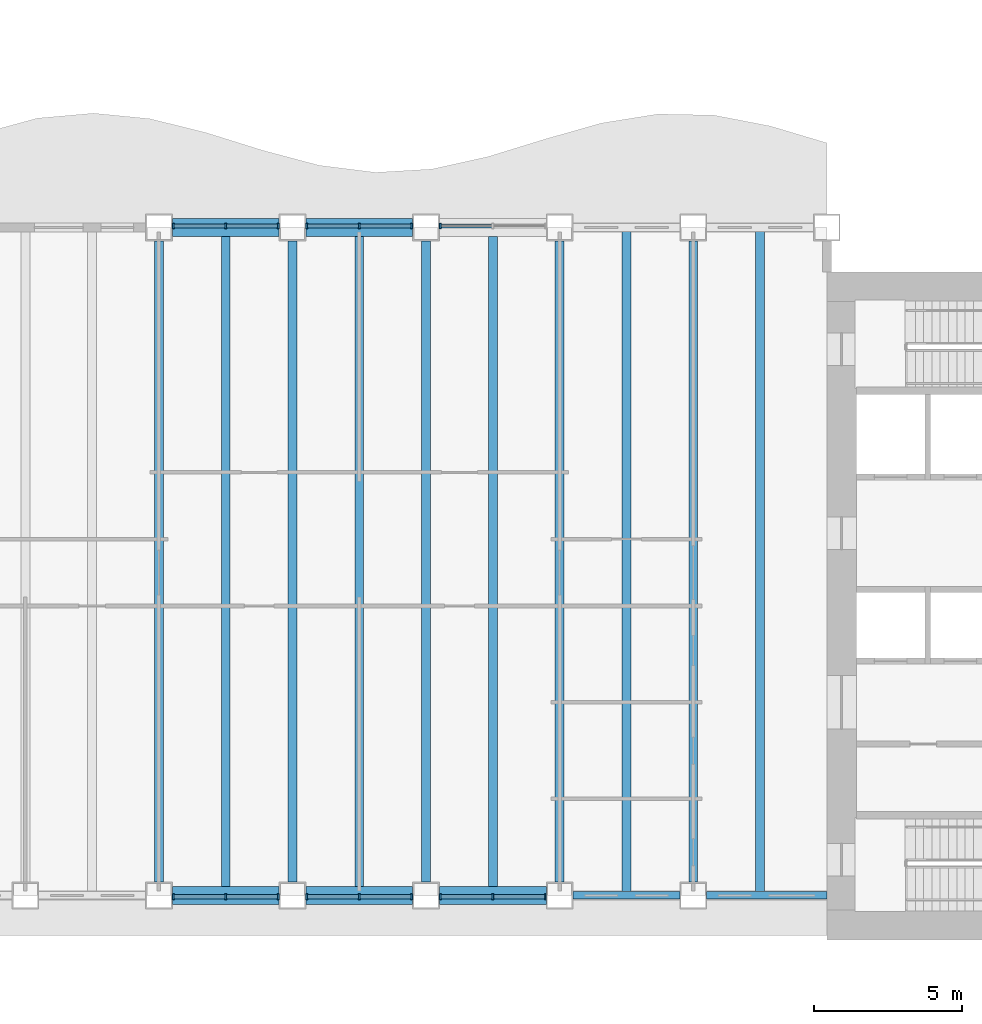
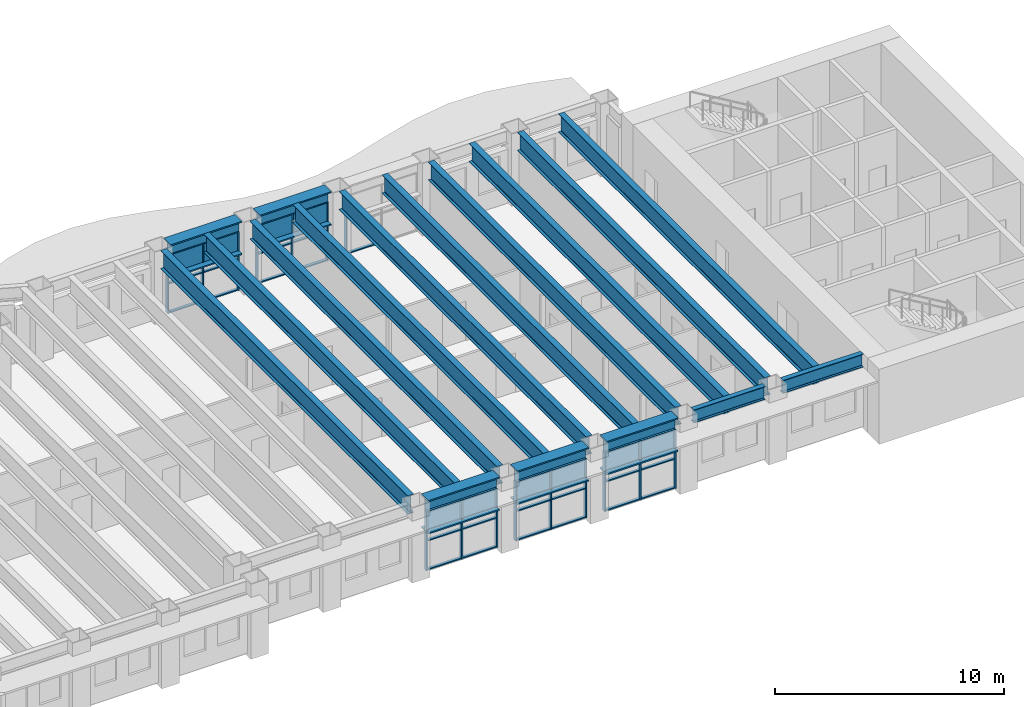
# One storey, part 2 of 17: 52 members, 12 beams, 6 elements without a shape of their own.
"""IFC4 building model written with IfcOpenShell, lengths in metres."""

from ifc_helpers import new_model, si_unit, direction, frame, origin, origin_2d, place, context, subcontext, project, spatial, rectangle, i_section, extrude, material, material_profile, profile_set, type_object, element, aggregate, save


model = new_model("IFC4")

# Units and contexts
model_context = context("Model", 3, precision=1e-05, world=origin(), true_north=direction((0.0, 1.0)))
body_context = subcontext(model_context, "Body", "Model", "MODEL_VIEW")
ifc_project = project(units=[si_unit("LENGTHUNIT", "METRE"), si_unit("AREAUNIT", "SQUARE_METRE"), si_unit("VOLUMEUNIT", "CUBIC_METRE"), si_unit("PLANEANGLEUNIT", "RADIAN"), si_unit("MASSUNIT", "GRAM", prefix="KILO")], contexts=[model_context])

# Site, building, storey
site_placement = place(None, origin())
site = spatial("IfcSite", under=ifc_project, at=site_placement, CompositionType="ELEMENT")
building_placement = place(site_placement, origin())
building = spatial("IfcBuilding", under=site, at=building_placement, Name="Sennacour Bend Tower", CompositionType="ELEMENT")
storey_placement = place(building_placement, frame((0.0, 0.0, 155.0)))
storey = spatial("IfcBuildingStorey", under=building, at=storey_placement, Name="L35", CompositionType="ELEMENT", Elevation=155.0)

# Curtain wall, members
ifc_material_1 = material(Name="Bronze anodised aluminium curtain wall with clear glass", Category="aluminium")
curtain_wall_type = type_object("IfcCurtainWallType", Name="CURTAIN WALL BRIDGE", PredefinedType="NOTDEFINED", material=ifc_material_1)
curtain_wall_1_placement = place(storey_placement, origin())
curtain_wall_1 = element("IfcCurtainWall", 1, at=curtain_wall_1_placement, inside=storey, type_object=curtain_wall_type, Name="Sky bridge glass wall L35", PredefinedType="NOTDEFINED")
ifc_material_2 = material(Name="Aluminium 6063-T6", Category="aluminium")
ifc_material_profile_1 = material_profile(ifc_material_2, rectangle(XDim=0.199951171875, YDim=0.06005859375, at=origin_2d()), Name="Aluminium 6063-T6", Category="aluminium")
ifc_profile_set_1 = profile_set([ifc_material_profile_1], Name="Aluminium 6063-T6")
member_type_1 = type_object("IfcMemberType", Name="CW-MULLION-200X60", PredefinedType="MULLION", material=ifc_profile_set_1)
member_1_placement = place(storey_placement, frame((31.97998046875, 1.449951171875, 0.0), z_axis=(0.0, 0.0, 1.0), x_axis=(0.0, 1.0, 0.0)))
member_1 = element("IfcMember", 2, at=member_1_placement, type_object=member_type_1, Name="GW5 curtain wall mullion 1", PredefinedType="MULLION", context=body_context, shape_type="SweptSolid", body=[
    extrude(rectangle(XDim=0.199951171875, YDim=0.06005859375, at=origin_2d()), origin(), (0.0, 0.0, 1.0), 3.14892578125),
])
member_2_placement = place(storey_placement, frame((33.75, 1.449951171875, 0.0), z_axis=(0.0, 0.0, 1.0), x_axis=(0.0, 1.0, 0.0)))
member_2 = element("IfcMember", 3, at=member_2_placement, type_object=member_type_1, Name="GW5 curtain wall mullion 2", PredefinedType="MULLION", context=body_context, shape_type="SweptSolid", body=[
    extrude(rectangle(XDim=0.199951171875, YDim=0.06005859375, at=origin_2d()), origin(), (0.0, 0.0, 1.0), 3.14892578125),
])
member_3_placement = place(storey_placement, frame((35.52001953125, 1.449951171875, 0.0), z_axis=(0.0, 0.0, 1.0), x_axis=(0.0, 1.0, 0.0)))
member_3 = element("IfcMember", 4, at=member_3_placement, type_object=member_type_1, Name="GW5 curtain wall mullion 3", PredefinedType="MULLION", context=body_context, shape_type="SweptSolid", body=[
    extrude(rectangle(XDim=0.199951171875, YDim=0.06005859375, at=origin_2d()), origin(), (0.0, 0.0, 1.0), 3.14892578125),
])

curtain_wall_2_placement = place(storey_placement, origin())
curtain_wall_2 = element("IfcCurtainWall", 5, at=curtain_wall_2_placement, inside=storey, type_object=curtain_wall_type, Name="Sky bridge glass wall L35", PredefinedType="NOTDEFINED")
member_4_placement = place(storey_placement, frame((36.47998046875, 1.449951171875, 0.0), z_axis=(0.0, 0.0, 1.0), x_axis=(0.0, 1.0, 0.0)))
member_4 = element("IfcMember", 6, at=member_4_placement, type_object=member_type_1, Name="GW5 curtain wall mullion 1", PredefinedType="MULLION", context=body_context, shape_type="SweptSolid", body=[
    extrude(rectangle(XDim=0.199951171875, YDim=0.06005859375, at=origin_2d()), origin(), (0.0, 0.0, 1.0), 3.14892578125),
])
member_5_placement = place(storey_placement, frame((38.25, 1.449951171875, 0.0), z_axis=(0.0, 0.0, 1.0), x_axis=(0.0, 1.0, 0.0)))
member_5 = element("IfcMember", 7, at=member_5_placement, type_object=member_type_1, Name="GW5 curtain wall mullion 2", PredefinedType="MULLION", context=body_context, shape_type="SweptSolid", body=[
    extrude(rectangle(XDim=0.199951171875, YDim=0.06005859375, at=origin_2d()), origin(), (0.0, 0.0, 1.0), 3.14892578125),
])
member_6_placement = place(storey_placement, frame((40.02001953125, 1.449951171875, 0.0), z_axis=(0.0, 0.0, 1.0), x_axis=(0.0, 1.0, 0.0)))
member_6 = element("IfcMember", 8, at=member_6_placement, type_object=member_type_1, Name="GW5 curtain wall mullion 3", PredefinedType="MULLION", context=body_context, shape_type="SweptSolid", body=[
    extrude(rectangle(XDim=0.199951171875, YDim=0.06005859375, at=origin_2d()), origin(), (0.0, 0.0, 1.0), 3.14892578125),
])

curtain_wall_3_placement = place(storey_placement, origin())
curtain_wall_3 = element("IfcCurtainWall", 9, at=curtain_wall_3_placement, inside=storey, type_object=curtain_wall_type, Name="Sky bridge glass wall L35", PredefinedType="NOTDEFINED")
member_7_placement = place(storey_placement, frame((40.97998046875, 1.449951171875, 0.0), z_axis=(0.0, 0.0, 1.0), x_axis=(0.0, 1.0, 0.0)))
member_7 = element("IfcMember", 10, at=member_7_placement, type_object=member_type_1, Name="GW5 curtain wall mullion 1", PredefinedType="MULLION", context=body_context, shape_type="SweptSolid", body=[
    extrude(rectangle(XDim=0.199951171875, YDim=0.06005859375, at=origin_2d()), origin(), (0.0, 0.0, 1.0), 3.14892578125),
])
member_8_placement = place(storey_placement, frame((42.75, 1.449951171875, 0.0), z_axis=(0.0, 0.0, 1.0), x_axis=(0.0, 1.0, 0.0)))
member_8 = element("IfcMember", 11, at=member_8_placement, type_object=member_type_1, Name="GW5 curtain wall mullion 2", PredefinedType="MULLION", context=body_context, shape_type="SweptSolid", body=[
    extrude(rectangle(XDim=0.199951171875, YDim=0.06005859375, at=origin_2d()), origin(), (0.0, 0.0, 1.0), 3.14892578125),
])
member_9_placement = place(storey_placement, frame((44.52001953125, 1.449951171875, 0.0), z_axis=(0.0, 0.0, 1.0), x_axis=(0.0, 1.0, 0.0)))
member_9 = element("IfcMember", 12, at=member_9_placement, type_object=member_type_1, Name="GW5 curtain wall mullion 3", PredefinedType="MULLION", context=body_context, shape_type="SweptSolid", body=[
    extrude(rectangle(XDim=0.199951171875, YDim=0.06005859375, at=origin_2d()), origin(), (0.0, 0.0, 1.0), 3.14892578125),
])

# Curtain wall, member
curtain_wall_4_placement = place(storey_placement, origin())
curtain_wall_4 = element("IfcCurtainWall", 13, at=curtain_wall_4_placement, inside=storey, type_object=curtain_wall_type, Name="Sky bridge glass wall L35", PredefinedType="NOTDEFINED")
member_10_placement = place(storey_placement, frame((40.97998046875, 24.050048828125, 0.0), z_axis=(0.0, 0.0, 1.0), x_axis=(0.0, -1.0, 0.0)))
member_10 = element("IfcMember", 14, at=member_10_placement, type_object=member_type_1, Name="GW5 curtain wall mullion 3", PredefinedType="MULLION", context=body_context, shape_type="SweptSolid", body=[
    extrude(rectangle(XDim=0.199951171875, YDim=0.06005859375, at=origin_2d()), origin(), (0.0, 0.0, 1.0), 3.14892578125),
])

# Curtain wall, members
curtain_wall_5_placement = place(storey_placement, origin())
curtain_wall_5 = element("IfcCurtainWall", 15, at=curtain_wall_5_placement, inside=storey, type_object=curtain_wall_type, Name="Sky bridge glass wall L35", PredefinedType="NOTDEFINED")
member_11_placement = place(storey_placement, frame((40.02001953125, 24.050048828125, 0.0), z_axis=(0.0, 0.0, 1.0), x_axis=(0.0, -1.0, 0.0)))
member_11 = element("IfcMember", 16, at=member_11_placement, type_object=member_type_1, Name="GW5 curtain wall mullion 1", PredefinedType="MULLION", context=body_context, shape_type="SweptSolid", body=[
    extrude(rectangle(XDim=0.199951171875, YDim=0.06005859375, at=origin_2d()), origin(), (0.0, 0.0, 1.0), 3.14892578125),
])
member_12_placement = place(storey_placement, frame((38.25, 24.050048828125, 0.0), z_axis=(0.0, 0.0, 1.0), x_axis=(0.0, -1.0, 0.0)))
member_12 = element("IfcMember", 17, at=member_12_placement, type_object=member_type_1, Name="GW5 curtain wall mullion 2", PredefinedType="MULLION", context=body_context, shape_type="SweptSolid", body=[
    extrude(rectangle(XDim=0.199951171875, YDim=0.06005859375, at=origin_2d()), origin(), (0.0, 0.0, 1.0), 3.14892578125),
])
member_13_placement = place(storey_placement, frame((36.47998046875, 24.050048828125, 0.0), z_axis=(0.0, 0.0, 1.0), x_axis=(0.0, -1.0, 0.0)))
member_13 = element("IfcMember", 18, at=member_13_placement, type_object=member_type_1, Name="GW5 curtain wall mullion 3", PredefinedType="MULLION", context=body_context, shape_type="SweptSolid", body=[
    extrude(rectangle(XDim=0.199951171875, YDim=0.06005859375, at=origin_2d()), origin(), (0.0, 0.0, 1.0), 3.14892578125),
])

curtain_wall_6_placement = place(storey_placement, origin())
curtain_wall_6 = element("IfcCurtainWall", 19, at=curtain_wall_6_placement, inside=storey, type_object=curtain_wall_type, Name="Sky bridge glass wall L35", PredefinedType="NOTDEFINED")
member_14_placement = place(storey_placement, frame((35.52001953125, 24.050048828125, 0.0), z_axis=(0.0, 0.0, 1.0), x_axis=(0.0, -1.0, 0.0)))
member_14 = element("IfcMember", 20, at=member_14_placement, type_object=member_type_1, Name="GW5 curtain wall mullion 1", PredefinedType="MULLION", context=body_context, shape_type="SweptSolid", body=[
    extrude(rectangle(XDim=0.199951171875, YDim=0.06005859375, at=origin_2d()), origin(), (0.0, 0.0, 1.0), 3.14892578125),
])
member_15_placement = place(storey_placement, frame((33.75, 24.050048828125, 0.0), z_axis=(0.0, 0.0, 1.0), x_axis=(0.0, -1.0, 0.0)))
member_15 = element("IfcMember", 21, at=member_15_placement, type_object=member_type_1, Name="GW5 curtain wall mullion 2", PredefinedType="MULLION", context=body_context, shape_type="SweptSolid", body=[
    extrude(rectangle(XDim=0.199951171875, YDim=0.06005859375, at=origin_2d()), origin(), (0.0, 0.0, 1.0), 3.14892578125),
])
member_16_placement = place(storey_placement, frame((31.97998046875, 24.050048828125, 0.0), z_axis=(0.0, 0.0, 1.0), x_axis=(0.0, -1.0, 0.0)))
member_16 = element("IfcMember", 22, at=member_16_placement, type_object=member_type_1, Name="GW5 curtain wall mullion 3", PredefinedType="MULLION", context=body_context, shape_type="SweptSolid", body=[
    extrude(rectangle(XDim=0.199951171875, YDim=0.06005859375, at=origin_2d()), origin(), (0.0, 0.0, 1.0), 3.14892578125),
])

# Member
ifc_material_profile_2 = material_profile(ifc_material_2, rectangle(XDim=0.14990234375, YDim=0.06005859375, at=origin_2d()), Name="Aluminium 6063-T6", Category="aluminium")
ifc_profile_set_2 = profile_set([ifc_material_profile_2], Name="Aluminium 6063-T6")
member_type_2 = type_object("IfcMemberType", Name="CW-TRANSOM-150X60", PredefinedType="USERDEFINED", material=ifc_profile_set_2)
member_17_placement = place(storey_placement, frame((32.010009765625, 1.449951171875, 0.030029296875), z_axis=(1.0, 0.0, 0.0), x_axis=(0.0, 1.0, 0.0)))
member_17 = element("IfcMember", 23, at=member_17_placement, type_object=member_type_2, Name="GW5 curtain wall transom 1.1", ObjectType="TRANSOM", PredefinedType="USERDEFINED", context=body_context, shape_type="SweptSolid", body=[
    extrude(rectangle(XDim=0.14990234375, YDim=0.06005859375, at=origin_2d()), origin(), (0.0, 0.0, 1.0), 1.7099609375),
])

member_18_placement = place(storey_placement, frame((32.010009765625, 1.449951171875, 1.574951171875), z_axis=(1.0, 0.0, 0.0), x_axis=(0.0, 1.0, 0.0)))
member_18 = element("IfcMember", 24, at=member_18_placement, type_object=member_type_2, Name="GW5 curtain wall transom 1.2", ObjectType="TRANSOM", PredefinedType="USERDEFINED", context=body_context, shape_type="SweptSolid", body=[
    extrude(rectangle(XDim=0.14990234375, YDim=0.06005859375, at=origin_2d()), origin(), (0.0, 0.0, 1.0), 1.7099609375),
])

member_19_placement = place(storey_placement, frame((32.010009765625, 1.449951171875, 3.118896484375), z_axis=(1.0, 0.0, 0.0), x_axis=(0.0, 1.0, 0.0)))
member_19 = element("IfcMember", 25, at=member_19_placement, type_object=member_type_2, Name="GW5 curtain wall transom 1.3", ObjectType="TRANSOM", PredefinedType="USERDEFINED", context=body_context, shape_type="SweptSolid", body=[
    extrude(rectangle(XDim=0.14990234375, YDim=0.06005859375, at=origin_2d()), origin(), (0.0, 0.0, 1.0), 1.7099609375),
])

member_20_placement = place(storey_placement, frame((33.780029296875, 1.449951171875, 0.030029296875), z_axis=(1.0, 0.0, 0.0), x_axis=(0.0, 1.0, 0.0)))
member_20 = element("IfcMember", 26, at=member_20_placement, type_object=member_type_2, Name="GW5 curtain wall transom 2.1", ObjectType="TRANSOM", PredefinedType="USERDEFINED", context=body_context, shape_type="SweptSolid", body=[
    extrude(rectangle(XDim=0.14990234375, YDim=0.06005859375, at=origin_2d()), origin(), (0.0, 0.0, 1.0), 1.7099609375),
])

member_21_placement = place(storey_placement, frame((33.780029296875, 1.449951171875, 1.574951171875), z_axis=(1.0, 0.0, 0.0), x_axis=(0.0, 1.0, 0.0)))
member_21 = element("IfcMember", 27, at=member_21_placement, type_object=member_type_2, Name="GW5 curtain wall transom 2.2", ObjectType="TRANSOM", PredefinedType="USERDEFINED", context=body_context, shape_type="SweptSolid", body=[
    extrude(rectangle(XDim=0.14990234375, YDim=0.06005859375, at=origin_2d()), origin(), (0.0, 0.0, 1.0), 1.7099609375),
])

member_22_placement = place(storey_placement, frame((33.780029296875, 1.449951171875, 3.118896484375), z_axis=(1.0, 0.0, 0.0), x_axis=(0.0, 1.0, 0.0)))
member_22 = element("IfcMember", 28, at=member_22_placement, type_object=member_type_2, Name="GW5 curtain wall transom 2.3", ObjectType="TRANSOM", PredefinedType="USERDEFINED", context=body_context, shape_type="SweptSolid", body=[
    extrude(rectangle(XDim=0.14990234375, YDim=0.06005859375, at=origin_2d()), origin(), (0.0, 0.0, 1.0), 1.7099609375),
])

aggregate(curtain_wall_1, [member_1, member_2, member_3, member_17, member_18, member_19, member_20, member_21, member_22])

member_23_placement = place(storey_placement, frame((36.510009765625, 1.449951171875, 0.030029296875), z_axis=(1.0, 0.0, 0.0), x_axis=(0.0, 1.0, 0.0)))
member_23 = element("IfcMember", 29, at=member_23_placement, type_object=member_type_2, Name="GW5 curtain wall transom 1.1", ObjectType="TRANSOM", PredefinedType="USERDEFINED", context=body_context, shape_type="SweptSolid", body=[
    extrude(rectangle(XDim=0.14990234375, YDim=0.06005859375, at=origin_2d()), origin(), (0.0, 0.0, 1.0), 1.7099609375),
])

member_24_placement = place(storey_placement, frame((36.510009765625, 1.449951171875, 1.574951171875), z_axis=(1.0, 0.0, 0.0), x_axis=(0.0, 1.0, 0.0)))
member_24 = element("IfcMember", 30, at=member_24_placement, type_object=member_type_2, Name="GW5 curtain wall transom 1.2", ObjectType="TRANSOM", PredefinedType="USERDEFINED", context=body_context, shape_type="SweptSolid", body=[
    extrude(rectangle(XDim=0.14990234375, YDim=0.06005859375, at=origin_2d()), origin(), (0.0, 0.0, 1.0), 1.7099609375),
])

member_25_placement = place(storey_placement, frame((36.510009765625, 1.449951171875, 3.118896484375), z_axis=(1.0, 0.0, 0.0), x_axis=(0.0, 1.0, 0.0)))
member_25 = element("IfcMember", 31, at=member_25_placement, type_object=member_type_2, Name="GW5 curtain wall transom 1.3", ObjectType="TRANSOM", PredefinedType="USERDEFINED", context=body_context, shape_type="SweptSolid", body=[
    extrude(rectangle(XDim=0.14990234375, YDim=0.06005859375, at=origin_2d()), origin(), (0.0, 0.0, 1.0), 1.7099609375),
])

member_26_placement = place(storey_placement, frame((38.280029296875, 1.449951171875, 0.030029296875), z_axis=(1.0, 0.0, 0.0), x_axis=(0.0, 1.0, 0.0)))
member_26 = element("IfcMember", 32, at=member_26_placement, type_object=member_type_2, Name="GW5 curtain wall transom 2.1", ObjectType="TRANSOM", PredefinedType="USERDEFINED", context=body_context, shape_type="SweptSolid", body=[
    extrude(rectangle(XDim=0.14990234375, YDim=0.06005859375, at=origin_2d()), origin(), (0.0, 0.0, 1.0), 1.7099609375),
])

member_27_placement = place(storey_placement, frame((38.280029296875, 1.449951171875, 1.574951171875), z_axis=(1.0, 0.0, 0.0), x_axis=(0.0, 1.0, 0.0)))
member_27 = element("IfcMember", 33, at=member_27_placement, type_object=member_type_2, Name="GW5 curtain wall transom 2.2", ObjectType="TRANSOM", PredefinedType="USERDEFINED", context=body_context, shape_type="SweptSolid", body=[
    extrude(rectangle(XDim=0.14990234375, YDim=0.06005859375, at=origin_2d()), origin(), (0.0, 0.0, 1.0), 1.7099609375),
])

member_28_placement = place(storey_placement, frame((38.280029296875, 1.449951171875, 3.118896484375), z_axis=(1.0, 0.0, 0.0), x_axis=(0.0, 1.0, 0.0)))
member_28 = element("IfcMember", 34, at=member_28_placement, type_object=member_type_2, Name="GW5 curtain wall transom 2.3", ObjectType="TRANSOM", PredefinedType="USERDEFINED", context=body_context, shape_type="SweptSolid", body=[
    extrude(rectangle(XDim=0.14990234375, YDim=0.06005859375, at=origin_2d()), origin(), (0.0, 0.0, 1.0), 1.7099609375),
])

aggregate(curtain_wall_2, [member_4, member_5, member_6, member_23, member_24, member_25, member_26, member_27, member_28])

member_29_placement = place(storey_placement, frame((41.010009765625, 1.449951171875, 0.030029296875), z_axis=(1.0, 0.0, 0.0), x_axis=(0.0, 1.0, 0.0)))
member_29 = element("IfcMember", 35, at=member_29_placement, type_object=member_type_2, Name="GW5 curtain wall transom 1.1", ObjectType="TRANSOM", PredefinedType="USERDEFINED", context=body_context, shape_type="SweptSolid", body=[
    extrude(rectangle(XDim=0.14990234375, YDim=0.06005859375, at=origin_2d()), origin(), (0.0, 0.0, 1.0), 1.7099609375),
])

member_30_placement = place(storey_placement, frame((41.010009765625, 1.449951171875, 1.574951171875), z_axis=(1.0, 0.0, 0.0), x_axis=(0.0, 1.0, 0.0)))
member_30 = element("IfcMember", 36, at=member_30_placement, type_object=member_type_2, Name="GW5 curtain wall transom 1.2", ObjectType="TRANSOM", PredefinedType="USERDEFINED", context=body_context, shape_type="SweptSolid", body=[
    extrude(rectangle(XDim=0.14990234375, YDim=0.06005859375, at=origin_2d()), origin(), (0.0, 0.0, 1.0), 1.7099609375),
])

member_31_placement = place(storey_placement, frame((41.010009765625, 1.449951171875, 3.118896484375), z_axis=(1.0, 0.0, 0.0), x_axis=(0.0, 1.0, 0.0)))
member_31 = element("IfcMember", 37, at=member_31_placement, type_object=member_type_2, Name="GW5 curtain wall transom 1.3", ObjectType="TRANSOM", PredefinedType="USERDEFINED", context=body_context, shape_type="SweptSolid", body=[
    extrude(rectangle(XDim=0.14990234375, YDim=0.06005859375, at=origin_2d()), origin(), (0.0, 0.0, 1.0), 1.7099609375),
])

member_32_placement = place(storey_placement, frame((42.780029296875, 1.449951171875, 0.030029296875), z_axis=(1.0, 0.0, 0.0), x_axis=(0.0, 1.0, 0.0)))
member_32 = element("IfcMember", 38, at=member_32_placement, type_object=member_type_2, Name="GW5 curtain wall transom 2.1", ObjectType="TRANSOM", PredefinedType="USERDEFINED", context=body_context, shape_type="SweptSolid", body=[
    extrude(rectangle(XDim=0.14990234375, YDim=0.06005859375, at=origin_2d()), origin(), (0.0, 0.0, 1.0), 1.7099609375),
])

member_33_placement = place(storey_placement, frame((42.780029296875, 1.449951171875, 1.574951171875), z_axis=(1.0, 0.0, 0.0), x_axis=(0.0, 1.0, 0.0)))
member_33 = element("IfcMember", 39, at=member_33_placement, type_object=member_type_2, Name="GW5 curtain wall transom 2.2", ObjectType="TRANSOM", PredefinedType="USERDEFINED", context=body_context, shape_type="SweptSolid", body=[
    extrude(rectangle(XDim=0.14990234375, YDim=0.06005859375, at=origin_2d()), origin(), (0.0, 0.0, 1.0), 1.7099609375),
])

member_34_placement = place(storey_placement, frame((42.780029296875, 1.449951171875, 3.118896484375), z_axis=(1.0, 0.0, 0.0), x_axis=(0.0, 1.0, 0.0)))
member_34 = element("IfcMember", 40, at=member_34_placement, type_object=member_type_2, Name="GW5 curtain wall transom 2.3", ObjectType="TRANSOM", PredefinedType="USERDEFINED", context=body_context, shape_type="SweptSolid", body=[
    extrude(rectangle(XDim=0.14990234375, YDim=0.06005859375, at=origin_2d()), origin(), (0.0, 0.0, 1.0), 1.7099609375),
])

aggregate(curtain_wall_3, [member_7, member_8, member_9, member_29, member_30, member_31, member_32, member_33, member_34])

member_35_placement = place(storey_placement, frame((42.719970703125, 24.050048828125, 0.030029296875), z_axis=(-1.0, 0.0, 0.0), x_axis=(0.0, -1.0, 0.0)))
member_35 = element("IfcMember", 41, at=member_35_placement, type_object=member_type_2, Name="GW5 curtain wall transom 2.1", ObjectType="TRANSOM", PredefinedType="USERDEFINED", context=body_context, shape_type="SweptSolid", body=[
    extrude(rectangle(XDim=0.14990234375, YDim=0.06005859375, at=origin_2d()), origin(), (0.0, 0.0, 1.0), 1.7099609375),
])

aggregate(curtain_wall_4, [member_10, member_35])

member_36_placement = place(storey_placement, frame((39.989990234375, 24.050048828125, 0.030029296875), z_axis=(-1.0, 0.0, 0.0), x_axis=(0.0, -1.0, 0.0)))
member_36 = element("IfcMember", 42, at=member_36_placement, type_object=member_type_2, Name="GW5 curtain wall transom 1.1", ObjectType="TRANSOM", PredefinedType="USERDEFINED", context=body_context, shape_type="SweptSolid", body=[
    extrude(rectangle(XDim=0.14990234375, YDim=0.06005859375, at=origin_2d()), origin(), (0.0, 0.0, 1.0), 1.7099609375),
])

member_37_placement = place(storey_placement, frame((39.989990234375, 24.050048828125, 1.574951171875), z_axis=(-1.0, 0.0, 0.0), x_axis=(0.0, -1.0, 0.0)))
member_37 = element("IfcMember", 43, at=member_37_placement, type_object=member_type_2, Name="GW5 curtain wall transom 1.2", ObjectType="TRANSOM", PredefinedType="USERDEFINED", context=body_context, shape_type="SweptSolid", body=[
    extrude(rectangle(XDim=0.14990234375, YDim=0.06005859375, at=origin_2d()), origin(), (0.0, 0.0, 1.0), 1.7099609375),
])

member_38_placement = place(storey_placement, frame((39.989990234375, 24.050048828125, 3.118896484375), z_axis=(-1.0, 0.0, 0.0), x_axis=(0.0, -1.0, 0.0)))
member_38 = element("IfcMember", 44, at=member_38_placement, type_object=member_type_2, Name="GW5 curtain wall transom 1.3", ObjectType="TRANSOM", PredefinedType="USERDEFINED", context=body_context, shape_type="SweptSolid", body=[
    extrude(rectangle(XDim=0.14990234375, YDim=0.06005859375, at=origin_2d()), origin(), (0.0, 0.0, 1.0), 1.7099609375),
])

member_39_placement = place(storey_placement, frame((38.219970703125, 24.050048828125, 0.030029296875), z_axis=(-1.0, 0.0, 0.0), x_axis=(0.0, -1.0, 0.0)))
member_39 = element("IfcMember", 45, at=member_39_placement, type_object=member_type_2, Name="GW5 curtain wall transom 2.1", ObjectType="TRANSOM", PredefinedType="USERDEFINED", context=body_context, shape_type="SweptSolid", body=[
    extrude(rectangle(XDim=0.14990234375, YDim=0.06005859375, at=origin_2d()), origin(), (0.0, 0.0, 1.0), 1.7099609375),
])

member_40_placement = place(storey_placement, frame((38.219970703125, 24.050048828125, 1.574951171875), z_axis=(-1.0, 0.0, 0.0), x_axis=(0.0, -1.0, 0.0)))
member_40 = element("IfcMember", 46, at=member_40_placement, type_object=member_type_2, Name="GW5 curtain wall transom 2.2", ObjectType="TRANSOM", PredefinedType="USERDEFINED", context=body_context, shape_type="SweptSolid", body=[
    extrude(rectangle(XDim=0.14990234375, YDim=0.06005859375, at=origin_2d()), origin(), (0.0, 0.0, 1.0), 1.7099609375),
])

member_41_placement = place(storey_placement, frame((38.219970703125, 24.050048828125, 3.118896484375), z_axis=(-1.0, 0.0, 0.0), x_axis=(0.0, -1.0, 0.0)))
member_41 = element("IfcMember", 47, at=member_41_placement, type_object=member_type_2, Name="GW5 curtain wall transom 2.3", ObjectType="TRANSOM", PredefinedType="USERDEFINED", context=body_context, shape_type="SweptSolid", body=[
    extrude(rectangle(XDim=0.14990234375, YDim=0.06005859375, at=origin_2d()), origin(), (0.0, 0.0, 1.0), 1.7099609375),
])

aggregate(curtain_wall_5, [member_11, member_12, member_13, member_36, member_37, member_38, member_39, member_40, member_41])

member_42_placement = place(storey_placement, frame((35.489990234375, 24.050048828125, 0.030029296875), z_axis=(-1.0, 0.0, 0.0), x_axis=(0.0, -1.0, 0.0)))
member_42 = element("IfcMember", 48, at=member_42_placement, type_object=member_type_2, Name="GW5 curtain wall transom 1.1", ObjectType="TRANSOM", PredefinedType="USERDEFINED", context=body_context, shape_type="SweptSolid", body=[
    extrude(rectangle(XDim=0.14990234375, YDim=0.06005859375, at=origin_2d()), origin(), (0.0, 0.0, 1.0), 1.7099609375),
])

member_43_placement = place(storey_placement, frame((35.489990234375, 24.050048828125, 1.574951171875), z_axis=(-1.0, 0.0, 0.0), x_axis=(0.0, -1.0, 0.0)))
member_43 = element("IfcMember", 49, at=member_43_placement, type_object=member_type_2, Name="GW5 curtain wall transom 1.2", ObjectType="TRANSOM", PredefinedType="USERDEFINED", context=body_context, shape_type="SweptSolid", body=[
    extrude(rectangle(XDim=0.14990234375, YDim=0.06005859375, at=origin_2d()), origin(), (0.0, 0.0, 1.0), 1.7099609375),
])

member_44_placement = place(storey_placement, frame((35.489990234375, 24.050048828125, 3.118896484375), z_axis=(-1.0, 0.0, 0.0), x_axis=(0.0, -1.0, 0.0)))
member_44 = element("IfcMember", 50, at=member_44_placement, type_object=member_type_2, Name="GW5 curtain wall transom 1.3", ObjectType="TRANSOM", PredefinedType="USERDEFINED", context=body_context, shape_type="SweptSolid", body=[
    extrude(rectangle(XDim=0.14990234375, YDim=0.06005859375, at=origin_2d()), origin(), (0.0, 0.0, 1.0), 1.7099609375),
])

member_45_placement = place(storey_placement, frame((33.719970703125, 24.050048828125, 0.030029296875), z_axis=(-1.0, 0.0, 0.0), x_axis=(0.0, -1.0, 0.0)))
member_45 = element("IfcMember", 51, at=member_45_placement, type_object=member_type_2, Name="GW5 curtain wall transom 2.1", ObjectType="TRANSOM", PredefinedType="USERDEFINED", context=body_context, shape_type="SweptSolid", body=[
    extrude(rectangle(XDim=0.14990234375, YDim=0.06005859375, at=origin_2d()), origin(), (0.0, 0.0, 1.0), 1.7099609375),
])

member_46_placement = place(storey_placement, frame((33.719970703125, 24.050048828125, 1.574951171875), z_axis=(-1.0, 0.0, 0.0), x_axis=(0.0, -1.0, 0.0)))
member_46 = element("IfcMember", 52, at=member_46_placement, type_object=member_type_2, Name="GW5 curtain wall transom 2.2", ObjectType="TRANSOM", PredefinedType="USERDEFINED", context=body_context, shape_type="SweptSolid", body=[
    extrude(rectangle(XDim=0.14990234375, YDim=0.06005859375, at=origin_2d()), origin(), (0.0, 0.0, 1.0), 1.7099609375),
])

member_47_placement = place(storey_placement, frame((33.719970703125, 24.050048828125, 3.118896484375), z_axis=(-1.0, 0.0, 0.0), x_axis=(0.0, -1.0, 0.0)))
member_47 = element("IfcMember", 53, at=member_47_placement, type_object=member_type_2, Name="GW5 curtain wall transom 2.3", ObjectType="TRANSOM", PredefinedType="USERDEFINED", context=body_context, shape_type="SweptSolid", body=[
    extrude(rectangle(XDim=0.14990234375, YDim=0.06005859375, at=origin_2d()), origin(), (0.0, 0.0, 1.0), 1.7099609375),
])

aggregate(curtain_wall_6, [member_14, member_15, member_16, member_42, member_43, member_44, member_45, member_46, member_47])

# Beams
ifc_material_3 = material(Name="Steel ASTM A992 Grade 50", Category="steel")
ifc_material_profile_3 = material_profile(ifc_material_3, i_section(OverallWidth=0.300048828125, OverallDepth=0.97998046875, WebThickness=0.0166015625, FlangeThickness=0.026123046875, FilletRadius=0.02978515625, at=origin_2d()), Name="Steel ASTM A992 Grade 50", Category="steel")
ifc_profile_set_3 = profile_set([ifc_material_profile_3], Name="Steel ASTM A992 Grade 50")
beam_type_1 = type_object("IfcBeamType", Name="Floor beam W1000X249", PredefinedType="BEAM", material=ifc_profile_set_3)
beam_1_placement = place(storey_placement, frame((31.5, 1.949951171875, 3.360107421875), z_axis=(0.0, 1.0, 0.0), x_axis=(-1.0, 0.0, 0.0)))
element("IfcBeam", 54, at=beam_1_placement, inside=storey, type_object=beam_type_1, Name="Floor beam FBM2 L36-025", PredefinedType="BEAM", context=body_context, shape_type="SweptSolid", body=[
    extrude(i_section(OverallWidth=0.300048828125, OverallDepth=0.97998046875, WebThickness=0.0166015625, FlangeThickness=0.026123046875, FilletRadius=0.02978515625, at=origin_2d()), origin(), (0.0, 0.0, 1.0), 21.60009765625),
])
beam_2_placement = place(storey_placement, frame((33.75, 1.800048828125, 3.360107421875), z_axis=(0.0, 1.0, 0.0), x_axis=(-1.0, 0.0, 0.0)))
element("IfcBeam", 55, at=beam_2_placement, inside=storey, type_object=beam_type_1, Name="Floor beam FBM2 L36-026", PredefinedType="BEAM", context=body_context, shape_type="SweptSolid", body=[
    extrude(i_section(OverallWidth=0.300048828125, OverallDepth=0.97998046875, WebThickness=0.0166015625, FlangeThickness=0.026123046875, FilletRadius=0.02978515625, at=origin_2d()), origin(), (0.0, 0.0, 1.0), 21.89990234375),
])
beam_3_placement = place(storey_placement, frame((36.0, 1.949951171875, 3.360107421875), z_axis=(0.0, 1.0, 0.0), x_axis=(-1.0, 0.0, 0.0)))
element("IfcBeam", 56, at=beam_3_placement, inside=storey, type_object=beam_type_1, Name="Floor beam FBM2 L36-027", PredefinedType="BEAM", context=body_context, shape_type="SweptSolid", body=[
    extrude(i_section(OverallWidth=0.300048828125, OverallDepth=0.97998046875, WebThickness=0.0166015625, FlangeThickness=0.026123046875, FilletRadius=0.02978515625, at=origin_2d()), origin(), (0.0, 0.0, 1.0), 21.60009765625),
])
beam_4_placement = place(storey_placement, frame((38.25, 1.800048828125, 3.360107421875), z_axis=(0.0, 1.0, 0.0), x_axis=(-1.0, 0.0, 0.0)))
element("IfcBeam", 57, at=beam_4_placement, inside=storey, type_object=beam_type_1, Name="Floor beam FBM2 L36-028", PredefinedType="BEAM", context=body_context, shape_type="SweptSolid", body=[
    extrude(i_section(OverallWidth=0.300048828125, OverallDepth=0.97998046875, WebThickness=0.0166015625, FlangeThickness=0.026123046875, FilletRadius=0.02978515625, at=origin_2d()), origin(), (0.0, 0.0, 1.0), 21.89990234375),
])
beam_5_placement = place(storey_placement, frame((40.5, 1.949951171875, 3.360107421875), z_axis=(0.0, 1.0, 0.0), x_axis=(-1.0, 0.0, 0.0)))
element("IfcBeam", 58, at=beam_5_placement, inside=storey, type_object=beam_type_1, Name="Floor beam FBM2 L36-029", PredefinedType="BEAM", context=body_context, shape_type="SweptSolid", body=[
    extrude(i_section(OverallWidth=0.300048828125, OverallDepth=0.97998046875, WebThickness=0.0166015625, FlangeThickness=0.026123046875, FilletRadius=0.02978515625, at=origin_2d()), origin(), (0.0, 0.0, 1.0), 21.60009765625),
])
beam_6_placement = place(storey_placement, frame((42.75, 1.800048828125, 3.360107421875), z_axis=(0.0, 1.0, 0.0), x_axis=(-1.0, 0.0, 0.0)))
element("IfcBeam", 59, at=beam_6_placement, inside=storey, type_object=beam_type_1, Name="Floor beam FBM2 L36-030", PredefinedType="BEAM", context=body_context, shape_type="SweptSolid", body=[
    extrude(i_section(OverallWidth=0.300048828125, OverallDepth=0.97998046875, WebThickness=0.0166015625, FlangeThickness=0.026123046875, FilletRadius=0.02978515625, at=origin_2d()), origin(), (0.0, 0.0, 1.0), 21.89990234375),
])
beam_7_placement = place(storey_placement, frame((45.0, 1.949951171875, 3.360107421875), z_axis=(0.0, 1.0, 0.0), x_axis=(-1.0, 0.0, 0.0)))
element("IfcBeam", 60, at=beam_7_placement, inside=storey, type_object=beam_type_1, Name="Floor beam FBM2 L36-031", PredefinedType="BEAM", context=body_context, shape_type="SweptSolid", body=[
    extrude(i_section(OverallWidth=0.300048828125, OverallDepth=0.97998046875, WebThickness=0.0166015625, FlangeThickness=0.026123046875, FilletRadius=0.02978515625, at=origin_2d()), origin(), (0.0, 0.0, 1.0), 21.60009765625),
])
beam_8_placement = place(storey_placement, frame((47.25, 1.626953125, 3.360107421875), z_axis=(0.0, 1.0, 0.0), x_axis=(-1.0, 0.0, 0.0)))
element("IfcBeam", 61, at=beam_8_placement, inside=storey, type_object=beam_type_1, Name="Floor beam FBM2 L36-032", PredefinedType="BEAM", context=body_context, shape_type="SweptSolid", body=[
    extrude(i_section(OverallWidth=0.300048828125, OverallDepth=0.97998046875, WebThickness=0.0166015625, FlangeThickness=0.026123046875, FilletRadius=0.02978515625, at=origin_2d()), origin(), (0.0, 0.0, 1.0), 22.24609375),
])
beam_9_placement = place(storey_placement, frame((49.5, 1.949951171875, 3.360107421875), z_axis=(0.0, 1.0, 0.0), x_axis=(-1.0, 0.0, 0.0)))
element("IfcBeam", 62, at=beam_9_placement, inside=storey, type_object=beam_type_1, Name="Floor beam FBM2 L36-033", PredefinedType="BEAM", context=body_context, shape_type="SweptSolid", body=[
    extrude(i_section(OverallWidth=0.300048828125, OverallDepth=0.97998046875, WebThickness=0.0166015625, FlangeThickness=0.026123046875, FilletRadius=0.02978515625, at=origin_2d()), origin(), (0.0, 0.0, 1.0), 21.60009765625),
])
beam_10_placement = place(storey_placement, frame((51.75, 1.626953125, 3.360107421875), z_axis=(0.0, 1.0, 0.0), x_axis=(-1.0, 0.0, 0.0)))
element("IfcBeam", 63, at=beam_10_placement, inside=storey, type_object=beam_type_1, Name="Floor beam FBM2 L36-034", PredefinedType="BEAM", context=body_context, shape_type="SweptSolid", body=[
    extrude(i_section(OverallWidth=0.300048828125, OverallDepth=0.97998046875, WebThickness=0.0166015625, FlangeThickness=0.026123046875, FilletRadius=0.02978515625, at=origin_2d()), origin(), (0.0, 0.0, 1.0), 22.24609375),
])

# Members
ifc_material_4 = material(Name="Steel ASTM A572 Grade 50", Category="steel")
ifc_material_profile_4 = material_profile(ifc_material_4, i_section(OverallWidth=0.60009765625, OverallDepth=1.800048828125, WebThickness=0.0400390625, FlangeThickness=0.070068359375, at=origin_2d()), Name="Steel ASTM A572 Grade 50", Category="steel")
ifc_profile_set_4 = profile_set([ifc_material_profile_4], Name="Steel ASTM A572 Grade 50")
member_type_3 = type_object("IfcMemberType", Name="Sky bridge chord 1800", PredefinedType="CHORD", material=ifc_profile_set_4)
for number, where, z_axis, x_axis, name in (
    (64, (31.949951171875, 1.5, 2.949951171875), (1.0, 0.0, 0.0), (0.0, 1.0, 0.0), "Sky bridge chord VC L36-001"),
    (65, (36.449951171875, 1.5, 2.949951171875), (1.0, 0.0, 0.0), (0.0, 1.0, 0.0), "Sky bridge chord VC L36-002"),
    (66, (40.949951171875, 1.5, 2.949951171875), (1.0, 0.0, 0.0), (0.0, 1.0, 0.0), "Sky bridge chord VC L36-003"),
    (67, (31.949951171875, 24.0, 2.949951171875), (1.0, 0.0, 0.0), (0.0, 1.0, 0.0), "Sky bridge chord VC L36-004"),
    (68, (36.449951171875, 24.0, 2.949951171875), (1.0, 0.0, 0.0), (0.0, 1.0, 0.0), "Sky bridge chord VC L36-005"),
):
    element("IfcMember", number, at=place(storey_placement, frame(where, z_axis=z_axis, x_axis=x_axis)), inside=storey, type_object=member_type_3, Name=name, PredefinedType="CHORD", context=body_context, shape_type="SweptSolid", body=[
        extrude(i_section(OverallWidth=0.60009765625, OverallDepth=1.800048828125, WebThickness=0.0400390625, FlangeThickness=0.070068359375, at=origin_2d()), origin(), (0.0, 0.0, 1.0), 3.60009765625),
    ])

# Beams
ifc_material_profile_5 = material_profile(ifc_material_3, i_section(OverallWidth=0.25390625, OverallDepth=0.700927734375, WebThickness=0.015380859375, FlangeThickness=0.02783203125, FilletRadius=0.015380859375, at=origin_2d()), Name="Steel ASTM A992 Grade 50", Category="steel")
ifc_profile_set_5 = profile_set([ifc_material_profile_5], Name="Steel ASTM A992 Grade 50")
beam_type_2 = type_object("IfcBeamType", Name="Spandrel beam W690X192", PredefinedType="SPANDREL", material=ifc_profile_set_5)
beam_11_placement = place(storey_placement, frame((54.0, 1.5, 3.49951171875), z_axis=(-1.0, 0.0, 0.0), x_axis=(0.0, -1.0, 0.0)))
element("IfcBeam", 69, at=beam_11_placement, inside=storey, type_object=beam_type_2, Name="Spandrel beam SP4 L36-018", PredefinedType="SPANDREL", context=body_context, shape_type="SweptSolid", body=[
    extrude(i_section(OverallWidth=0.25390625, OverallDepth=0.700927734375, WebThickness=0.015380859375, FlangeThickness=0.02783203125, FilletRadius=0.015380859375, at=origin_2d()), origin(), (0.0, 0.0, 1.0), 4.050048828125),
])
beam_12_placement = place(storey_placement, frame((49.050048828125, 1.5, 3.49951171875), z_axis=(-1.0, 0.0, 0.0), x_axis=(0.0, -1.0, 0.0)))
element("IfcBeam", 70, at=beam_12_placement, inside=storey, type_object=beam_type_2, Name="Spandrel beam SP4 L36-019", PredefinedType="SPANDREL", context=body_context, shape_type="SweptSolid", body=[
    extrude(i_section(OverallWidth=0.25390625, OverallDepth=0.700927734375, WebThickness=0.015380859375, FlangeThickness=0.02783203125, FilletRadius=0.015380859375, at=origin_2d()), origin(), (0.0, 0.0, 1.0), 3.60009765625),
])

save(model, "model.ifc")
